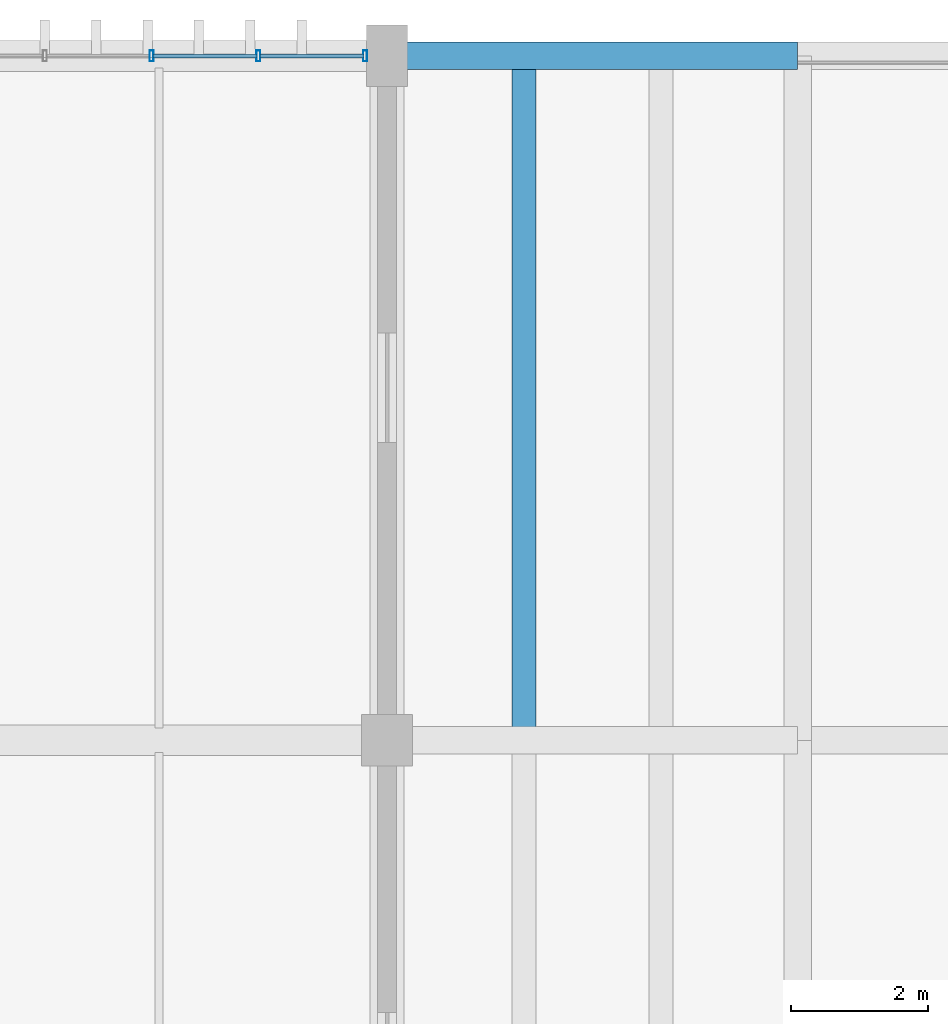
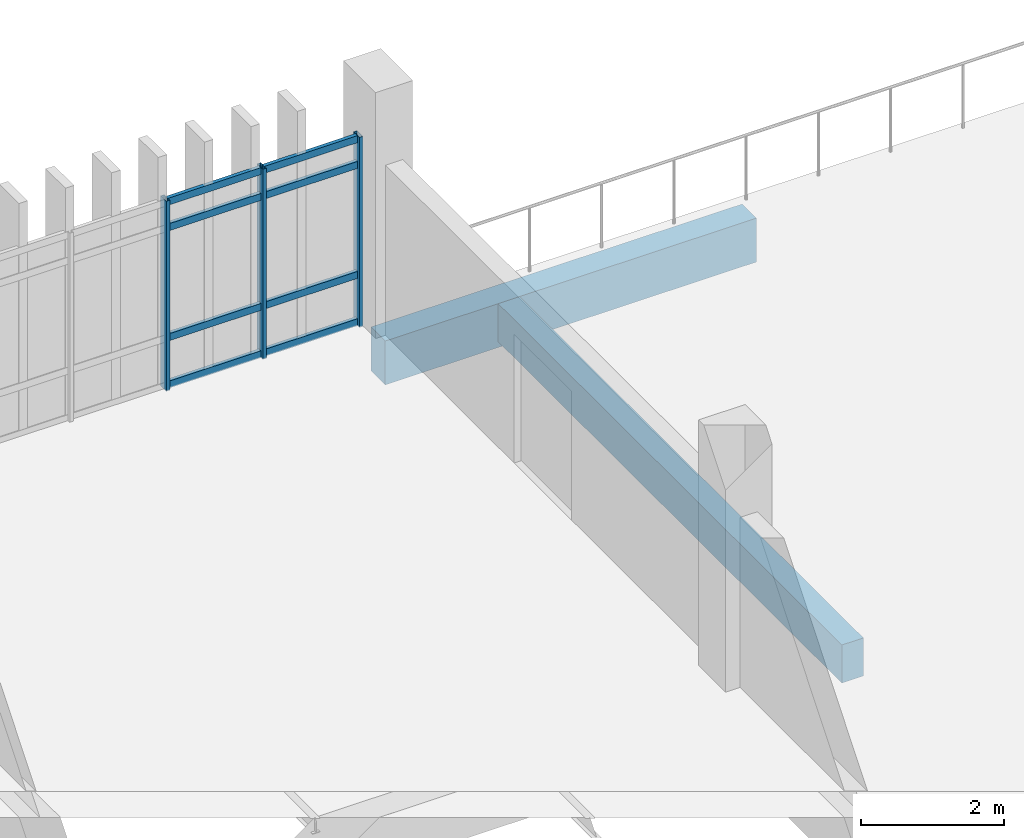
# One storey, part 60 of 111: 11 members, 2 beams, 1 element without a shape of its own.
"""IFC4 building model written with IfcOpenShell, lengths in metres."""

from ifc_helpers import new_model, si_unit, direction, frame, origin, origin_2d, place, context, subcontext, project, spatial, rectangle, hollow_rectangle, extrude, material, layer, layer_set, material_profile, profile_set, type_object, element, aggregate, save


model = new_model("IFC4")

# Units and contexts
model_context = context("Model", 3, precision=1e-05, world=origin(), true_north=direction((0.0, 1.0)))
body_context = subcontext(model_context, "Body", "Model", "MODEL_VIEW")
ifc_project = project(units=[si_unit("LENGTHUNIT", "METRE"), si_unit("AREAUNIT", "SQUARE_METRE"), si_unit("VOLUMEUNIT", "CUBIC_METRE"), si_unit("PLANEANGLEUNIT", "RADIAN"), si_unit("MASSUNIT", "GRAM", prefix="KILO")], contexts=[model_context])

# Site, building, storey
site_placement = place(None, origin())
site = spatial("IfcSite", under=ifc_project, at=site_placement, CompositionType="ELEMENT")
building_placement = place(site_placement, origin())
building = spatial("IfcBuilding", under=site, at=building_placement, Name="Mersad Railyard Sports Hall", CompositionType="ELEMENT")
storey_placement = place(building_placement, frame((0.0, 0.0, 9.0)))
storey = spatial("IfcBuildingStorey", under=building, at=storey_placement, Name="L02", CompositionType="ELEMENT", Elevation=9.0)

# Curtain wall, members
ifc_material_1 = material(Name="Aluminium 6063-T6", Category="aluminium")
ifc_layer = layer(ifc_material_1, 0.159912109375)
ifc_layer_set = layer_set([ifc_layer], Name="Aluminium 6063-T6")
curtain_wall_type = type_object("IfcCurtainWallType", Name="ARC-CW-CW53", PredefinedType="USERDEFINED", material=ifc_layer_set)
curtain_wall_placement = place(storey_placement, origin())
curtain_wall = element("IfcCurtainWall", 1, at=curtain_wall_placement, inside=storey, type_object=curtain_wall_type, Name="Curtain wall CW53-0142", ObjectType="CURTAIN WALL", PredefinedType="USERDEFINED")
ifc_material_profile_1 = material_profile(ifc_material_1, hollow_rectangle(XDim=0.06005859375, YDim=0.159912109375, WallThickness=0.00390625, at=origin_2d()), Name="AL MULLION 60x160x4")
ifc_profile_set_1 = profile_set([ifc_material_profile_1], Name="Aluminium 6063-T6")
member_type_1 = type_object("IfcMemberType", Name="ARC-CW-MUL01", PredefinedType="MULLION", material=ifc_profile_set_1)
member_1_placement = place(storey_placement, frame((127.56005859375, 115.0, -0.02001953125), z_axis=(0.0, 0.0, 1.0), x_axis=(1.0, 0.0, 0.0)))
member_1 = element("IfcMember", 2, at=member_1_placement, type_object=member_type_1, Name="CW53 Mullion 5", PredefinedType="MULLION", context=body_context, shape_type="SweptSolid", body=[
    extrude(hollow_rectangle(XDim=0.06005859375, YDim=0.159912109375, WallThickness=0.00390625, at=origin_2d()), origin(), (0.0, 0.0, 1.0), 3.25),
])
member_2_placement = place(storey_placement, frame((129.1201171875, 115.0, -0.02001953125), z_axis=(0.0, 0.0, 1.0), x_axis=(1.0, 0.0, 0.0)))
member_2 = element("IfcMember", 3, at=member_2_placement, type_object=member_type_1, Name="CW53 Mullion 6", PredefinedType="MULLION", context=body_context, shape_type="SweptSolid", body=[
    extrude(hollow_rectangle(XDim=0.06005859375, YDim=0.159912109375, WallThickness=0.00390625, at=origin_2d()), origin(), (0.0, 0.0, 1.0), 3.25),
])
member_3_placement = place(storey_placement, frame((130.679931640625, 115.0, -0.02001953125), z_axis=(0.0, 0.0, 1.0), x_axis=(1.0, 0.0, 0.0)))
member_3 = element("IfcMember", 4, at=member_3_placement, type_object=member_type_1, Name="CW53 Mullion 7", PredefinedType="MULLION", context=body_context, shape_type="SweptSolid", body=[
    extrude(hollow_rectangle(XDim=0.06005859375, YDim=0.159912109375, WallThickness=0.00390625, at=origin_2d()), origin(), (0.0, 0.0, 1.0), 3.25),
])
ifc_material_profile_2 = material_profile(ifc_material_1, hollow_rectangle(XDim=0.06005859375, YDim=0.1201171875, WallThickness=0.00390625, at=origin_2d()), Name="AL TRANSOM 60x120x4")
ifc_profile_set_2 = profile_set([ifc_material_profile_2], Name="Aluminium 6063-T6")
member_type_2 = type_object("IfcMemberType", Name="ARC-CW-TRN01", PredefinedType="USERDEFINED", material=ifc_profile_set_2)
member_4_placement = place(storey_placement, frame((127.580078125, 115.0, 0.0400390625), z_axis=(1.0, 0.0, 0.0), x_axis=(0.0, 1.0, 0.0)))
member_4 = element("IfcMember", 5, at=member_4_placement, type_object=member_type_2, Name="CW53 Transom 1-5", ObjectType="TRANSOM", PredefinedType="USERDEFINED", context=body_context, shape_type="SweptSolid", body=[
    extrude(hollow_rectangle(XDim=0.06005859375, YDim=0.1201171875, WallThickness=0.00390625, at=origin_2d()), origin(), (0.0, 0.0, 1.0), 1.52001953125),
])
member_5_placement = place(storey_placement, frame((129.139892578125, 115.0, 0.0400390625), z_axis=(1.0, 0.0, 0.0), x_axis=(0.0, 1.0, 0.0)))
member_5 = element("IfcMember", 6, at=member_5_placement, type_object=member_type_2, Name="CW53 Transom 1-6", ObjectType="TRANSOM", PredefinedType="USERDEFINED", context=body_context, shape_type="SweptSolid", body=[
    extrude(hollow_rectangle(XDim=0.06005859375, YDim=0.1201171875, WallThickness=0.00390625, at=origin_2d()), origin(), (0.0, 0.0, 1.0), 1.52001953125),
])
member_6_placement = place(storey_placement, frame((127.580078125, 115.0, 0.85009765625), z_axis=(1.0, 0.0, 0.0), x_axis=(0.0, 1.0, 0.0)))
member_6 = element("IfcMember", 7, at=member_6_placement, type_object=member_type_2, Name="CW53 Transom 2-5", ObjectType="TRANSOM", PredefinedType="USERDEFINED", context=body_context, shape_type="SweptSolid", body=[
    extrude(hollow_rectangle(XDim=0.06005859375, YDim=0.1201171875, WallThickness=0.00390625, at=origin_2d()), origin(), (0.0, 0.0, 1.0), 1.52001953125),
])
member_7_placement = place(storey_placement, frame((129.139892578125, 115.0, 0.85009765625), z_axis=(1.0, 0.0, 0.0), x_axis=(0.0, 1.0, 0.0)))
member_7 = element("IfcMember", 8, at=member_7_placement, type_object=member_type_2, Name="CW53 Transom 2-6", ObjectType="TRANSOM", PredefinedType="USERDEFINED", context=body_context, shape_type="SweptSolid", body=[
    extrude(hollow_rectangle(XDim=0.06005859375, YDim=0.1201171875, WallThickness=0.00390625, at=origin_2d()), origin(), (0.0, 0.0, 1.0), 1.52001953125),
])
member_8_placement = place(storey_placement, frame((127.580078125, 115.0, 2.72998046875), z_axis=(1.0, 0.0, 0.0), x_axis=(0.0, 1.0, 0.0)))
member_8 = element("IfcMember", 9, at=member_8_placement, type_object=member_type_2, Name="CW53 Transom 3-5", ObjectType="TRANSOM", PredefinedType="USERDEFINED", context=body_context, shape_type="SweptSolid", body=[
    extrude(hollow_rectangle(XDim=0.06005859375, YDim=0.1201171875, WallThickness=0.00390625, at=origin_2d()), origin(), (0.0, 0.0, 1.0), 1.52001953125),
])
member_9_placement = place(storey_placement, frame((129.139892578125, 115.0, 2.72998046875), z_axis=(1.0, 0.0, 0.0), x_axis=(0.0, 1.0, 0.0)))
member_9 = element("IfcMember", 10, at=member_9_placement, type_object=member_type_2, Name="CW53 Transom 3-6", ObjectType="TRANSOM", PredefinedType="USERDEFINED", context=body_context, shape_type="SweptSolid", body=[
    extrude(hollow_rectangle(XDim=0.06005859375, YDim=0.1201171875, WallThickness=0.00390625, at=origin_2d()), origin(), (0.0, 0.0, 1.0), 1.52001953125),
])
member_10_placement = place(storey_placement, frame((127.580078125, 115.0, 3.169921875), z_axis=(1.0, 0.0, 0.0), x_axis=(0.0, 1.0, 0.0)))
member_10 = element("IfcMember", 11, at=member_10_placement, type_object=member_type_2, Name="CW53 Transom 4-5", ObjectType="TRANSOM", PredefinedType="USERDEFINED", context=body_context, shape_type="SweptSolid", body=[
    extrude(hollow_rectangle(XDim=0.06005859375, YDim=0.1201171875, WallThickness=0.00390625, at=origin_2d()), origin(), (0.0, 0.0, 1.0), 1.52001953125),
])
member_11_placement = place(storey_placement, frame((129.139892578125, 115.0, 3.169921875), z_axis=(1.0, 0.0, 0.0), x_axis=(0.0, 1.0, 0.0)))
member_11 = element("IfcMember", 12, at=member_11_placement, type_object=member_type_2, Name="CW53 Transom 4-6", ObjectType="TRANSOM", PredefinedType="USERDEFINED", context=body_context, shape_type="SweptSolid", body=[
    extrude(hollow_rectangle(XDim=0.06005859375, YDim=0.1201171875, WallThickness=0.00390625, at=origin_2d()), origin(), (0.0, 0.0, 1.0), 1.52001953125),
])
aggregate(curtain_wall, [member_1, member_2, member_3, member_4, member_5, member_6, member_7, member_8, member_9, member_10, member_11])

# Beams
ifc_material_2 = material(Name="Concrete C40/50", Category="concrete")
ifc_material_profile_3 = material_profile(ifc_material_2, rectangle(XDim=0.39990234375, YDim=0.75, at=origin_2d()), Name="RC 400x750")
ifc_profile_set_3 = profile_set([ifc_material_profile_3], Name="Concrete C40/50")
beam_type_1 = type_object("IfcBeamType", Name="STR-BM-B01", PredefinedType="BEAM", material=ifc_profile_set_3)
beam_1_placement = place(storey_placement, frame((131.0, 115.0, -0.675048828125), z_axis=(1.0, 0.0, 0.0), x_axis=(0.0, 1.0, 0.0)))
element("IfcBeam", 13, at=beam_1_placement, inside=storey, type_object=beam_type_1, Name="Beam B01-1134", PredefinedType="BEAM", context=body_context, shape_type="SweptSolid", body=[
    extrude(rectangle(XDim=0.39990234375, YDim=0.75, at=origin_2d()), origin(), (0.0, 0.0, 1.0), 6.0),
])
ifc_material_profile_4 = material_profile(ifc_material_2, rectangle(XDim=0.35009765625, YDim=0.64990234375, at=origin_2d()), Name="RC 350x650")
ifc_profile_set_4 = profile_set([ifc_material_profile_4], Name="Concrete C40/50")
beam_type_2 = type_object("IfcBeamType", Name="STR-BM-J01", PredefinedType="JOIST", material=ifc_profile_set_4)
beam_2_placement = place(storey_placement, frame((133.0, 105.179931640625, -0.625), z_axis=(0.0, 1.0, 0.0), x_axis=(-1.0, 0.0, 0.0)))
element("IfcBeam", 14, at=beam_2_placement, inside=storey, type_object=beam_type_2, Name="Beam J01-1194", PredefinedType="JOIST", context=body_context, shape_type="SweptSolid", body=[
    extrude(rectangle(XDim=0.35009765625, YDim=0.64990234375, at=origin_2d()), origin(), (0.0, 0.0, 1.0), 9.64013671875),
])

save(model, "model.ifc")
